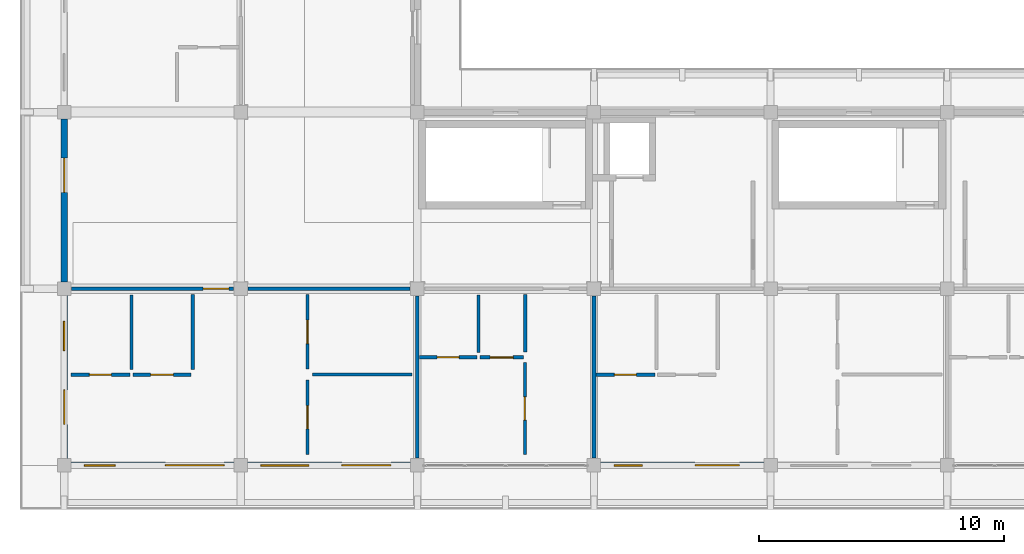
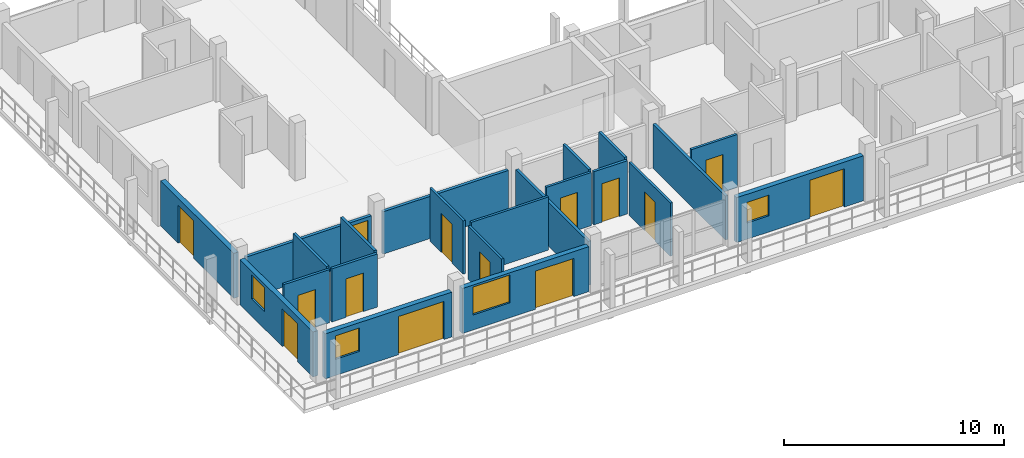
# One storey, part 34 of 65: 22 walls, 14 doors, 4 windows, 18 openings.
"""IFC4 building model written with IfcOpenShell, lengths in metres."""

from ifc_helpers import new_model, si_unit, direction, frame, frame_2d, origin, place, context, subcontext, project, spatial, rectangle, extrude, material, layer, layer_set, type_object, element, fill, save


model = new_model("IFC4")

# Units and contexts
model_context = context("Model", 3, precision=1e-05, world=origin(), true_north=direction((0.0, 1.0)))
body_context = subcontext(model_context, "Body", "Model", "MODEL_VIEW")
ifc_project = project(units=[si_unit("LENGTHUNIT", "METRE"), si_unit("AREAUNIT", "SQUARE_METRE"), si_unit("VOLUMEUNIT", "CUBIC_METRE"), si_unit("PLANEANGLEUNIT", "RADIAN"), si_unit("MASSUNIT", "GRAM", prefix="KILO")], contexts=[model_context])

# Site, building, storey
site_placement = place(None, origin())
site = spatial("IfcSite", under=ifc_project, at=site_placement, CompositionType="ELEMENT")
building_placement = place(site_placement, origin())
building = spatial("IfcBuilding", under=site, at=building_placement, Name="Suanplinth Sawtooth Commons", CompositionType="ELEMENT")
storey_placement = place(building_placement, frame((0.0, 0.0, 28.300048828125)))
storey = spatial("IfcBuildingStorey", under=building, at=storey_placement, Name="L08", CompositionType="ELEMENT", Elevation=28.300048828125)

# Wall, openings, door, window
ifc_material_1 = material(Name="Precast concrete C40/50", Category="concrete")
ifc_layer_1 = layer(ifc_material_1, 0.260009765625, Name="Insulated precast courtyard facade wall 260mm")
ifc_layer_set_1 = layer_set([ifc_layer_1], Name="Precast concrete C40/50")
wall_type_1 = type_object("IfcWallType", Name="W-EX02", PredefinedType="ELEMENTEDWALL", material=ifc_layer_set_1)
wall_1_placement = place(storey_placement, frame((0.27490234375, 0.0, 0.0), z_axis=(0.0, 0.0, 1.0), x_axis=(1.0, 0.0, 0.0)))
wall_1 = element("IfcWall", 1, at=wall_1_placement, inside=storey, type_object=wall_type_1, Name="Facade Wall W-L08-D-S-0-0", PredefinedType="ELEMENTEDWALL", context=body_context, shape_type="SweptSolid", body=[
    extrude(rectangle(XDim=6.650146484375, YDim=0.260009765625, at=frame_2d((3.3251953125, 0.0))), origin(), (0.0, 0.0, 1.0), 2.494873046875),
])
opening_1_placement = place(wall_1_placement, frame((3.85009765625, 0.0, 0.0)))
opening_1 = element("IfcOpeningElement", 2, at=opening_1_placement, cuts=wall_1, Name="Opening ED0674", PredefinedType="OPENING", context=body_context, shape_type="SweptSolid", body=[
    extrude(rectangle(XDim=2.39990234375, YDim=2.1201171875, at=frame_2d((1.199951171875, 1.06005859375))), frame((0.0, 0.14501953125, 0.0), z_axis=(0.0, -1.0, 0.0), x_axis=(1.0, 0.0, 0.0)), (0.0, 0.0, 1.0), 0.289794921875),
])
opening_2_placement = place(wall_1_placement, frame((0.550048828125, 0.0, 0.89990234375)))
opening_2 = element("IfcOpeningElement", 3, at=opening_2_placement, cuts=wall_1, Name="Opening W0756", PredefinedType="OPENING", context=body_context, shape_type="SweptSolid", body=[
    extrude(rectangle(XDim=1.25, YDim=1.300048828125, at=frame_2d((0.625, 0.64990234375))), frame((0.0, 0.14501953125, 0.0), z_axis=(0.0, -1.0, 0.0), x_axis=(1.0, 0.0, 0.0)), (0.0, 0.0, 1.0), 0.289794921875),
])
ifc_material_2 = material(Name="Anodized aluminium and low-E glass", Category="aluminium")
door_type_1 = type_object("IfcDoorType", Name="SD-04", OperationType="DOUBLE_DOOR_SLIDING", PredefinedType="DOOR", material=ifc_material_2)
door_1_placement = place(opening_1_placement, frame((2.39990234375, 0.0, 0.0), z_axis=(0.0, 0.0, 1.0), x_axis=(-1.0, 0.0, 0.0)))
door_1 = element("IfcDoor", 4, at=door_1_placement, inside=storey, type_object=door_type_1, Name="Balcony Sliding Door L08-D-0", OperationType="DOUBLE_DOOR_SLIDING", OverallHeight=2.1201171875, OverallWidth=2.39990234375, PredefinedType="DOOR", context=body_context, shape_type="SweptSolid", body=[
    extrude(rectangle(XDim=2.39990234375, YDim=2.1201171875, at=frame_2d((1.199951171875, 1.06005859375))), frame((0.0, 0.02490234375, 0.0), z_axis=(0.0, -1.0, 0.0), x_axis=(1.0, 0.0, 0.0)), (0.0, 0.0, 1.0), 0.050048828125),
])
fill(opening_1, door_1)
ifc_material_3 = material(Name="Thermally broken aluminium and low-E double glazing", Category="aluminium")
window_type_1 = type_object("IfcWindowType", Name="WN-17", PartitioningType="SINGLE_PANEL", PredefinedType="WINDOW", material=ifc_material_3)
window_1_placement = place(opening_2_placement, origin())
window_1 = element("IfcWindow", 5, at=window_1_placement, inside=storey, type_object=window_type_1, Name="Apartment Window L08-D-0", OverallHeight=1.300048828125, OverallWidth=1.25, PartitioningType="SINGLE_PANEL", PredefinedType="WINDOW", context=body_context, shape_type="SweptSolid", body=[
    extrude(rectangle(XDim=1.25, YDim=1.300048828125, at=frame_2d((0.625, 0.64990234375))), frame((0.0, 0.030029296875, 0.0), z_axis=(0.0, -1.0, 0.0), x_axis=(1.0, 0.0, 0.0)), (0.0, 0.0, 1.0), 0.06005859375),
])
fill(opening_2, window_1)

wall_2_placement = place(storey_placement, frame((0.0, 0.27490234375, 0.0), z_axis=(0.0, 0.0, 1.0), x_axis=(0.0, 1.0, 0.0)))
wall_2 = element("IfcWall", 6, at=wall_2_placement, inside=storey, type_object=wall_type_1, Name="Facade Wall W-L08-D-W-0-0", PredefinedType="ELEMENTEDWALL", context=body_context, shape_type="SweptSolid", body=[
    extrude(rectangle(XDim=6.650146484375, YDim=0.260009765625, at=frame_2d((3.3251953125, 0.0))), origin(), (0.0, 0.0, 1.0), 2.494873046875),
])
opening_3_placement = place(wall_2_placement, frame((1.39990234375, 0.0, 0.0)))
opening_3 = element("IfcOpeningElement", 7, at=opening_3_placement, cuts=wall_2, Name="Opening ED0675", PredefinedType="OPENING", context=body_context, shape_type="SweptSolid", body=[
    extrude(rectangle(XDim=1.39990234375, YDim=2.10009765625, at=frame_2d((0.699951171875, 1.050048828125))), frame((0.0, 0.14501953125, 0.0), z_axis=(0.0, -1.0, 0.0), x_axis=(1.0, 0.0, 0.0)), (0.0, 0.0, 1.0), 0.289794921875),
])
opening_4_placement = place(wall_2_placement, frame((4.39990234375, 0.0, 0.949951171875)))
opening_4 = element("IfcOpeningElement", 8, at=opening_4_placement, cuts=wall_2, Name="Opening W0757", PredefinedType="OPENING", context=body_context, shape_type="SweptSolid", body=[
    extrude(rectangle(XDim=1.199951171875, YDim=1.35009765625, at=frame_2d((0.60009765625, 0.675048828125))), frame((0.0, 0.14501953125, 0.0), z_axis=(0.0, -1.0, 0.0), x_axis=(1.0, 0.0, 0.0)), (0.0, 0.0, 1.0), 0.289794921875),
])
door_type_2 = type_object("IfcDoorType", Name="SD-07", OperationType="SLIDING_TO_RIGHT", PredefinedType="DOOR", material=ifc_material_2)
door_2_placement = place(opening_3_placement, frame((1.39990234375, 0.0, 0.0), z_axis=(0.0, 0.0, 1.0), x_axis=(-1.0, 0.0, 0.0)))
door_2 = element("IfcDoor", 9, at=door_2_placement, inside=storey, type_object=door_type_2, Name="End Balcony Sliding Door L08-D-W-0-0", OperationType="SLIDING_TO_RIGHT", OverallHeight=2.10009765625, OverallWidth=1.39990234375, PredefinedType="DOOR", context=body_context, shape_type="SweptSolid", body=[
    extrude(rectangle(XDim=1.39990234375, YDim=2.10009765625, at=frame_2d((0.699951171875, 1.050048828125))), frame((0.0, 0.02490234375, 0.0), z_axis=(0.0, -1.0, 0.0), x_axis=(1.0, 0.0, 0.0)), (0.0, 0.0, 1.0), 0.050048828125),
])
fill(opening_3, door_2)
window_type_2 = type_object("IfcWindowType", Name="WN-03", PartitioningType="SINGLE_PANEL", PredefinedType="WINDOW", material=ifc_material_3)
window_2_placement = place(opening_4_placement, origin())
window_2 = element("IfcWindow", 10, at=window_2_placement, inside=storey, type_object=window_type_2, Name="End Bedroom Window L08-D-0-0", OverallHeight=1.35009765625, OverallWidth=1.199951171875, PartitioningType="SINGLE_PANEL", PredefinedType="WINDOW", context=body_context, shape_type="SweptSolid", body=[
    extrude(rectangle(XDim=1.199951171875, YDim=1.35009765625, at=frame_2d((0.60009765625, 0.675048828125))), frame((0.0, 0.030029296875, 0.0), z_axis=(0.0, -1.0, 0.0), x_axis=(1.0, 0.0, 0.0)), (0.0, 0.0, 1.0), 0.06005859375),
])
fill(opening_4, window_2)

# Wall, opening, door
wall_3_placement = place(storey_placement, frame((0.0, 7.47509765625, 0.0), z_axis=(0.0, 0.0, 1.0), x_axis=(0.0, 1.0, 0.0)))
wall_3 = element("IfcWall", 11, at=wall_3_placement, inside=storey, type_object=wall_type_1, Name="Facade Wall W-L08-D-W-0-1", PredefinedType="ELEMENTEDWALL", context=body_context, shape_type="SweptSolid", body=[
    extrude(rectangle(XDim=6.64990234375, YDim=0.260009765625, at=frame_2d((3.324951171875, 0.0))), origin(), (0.0, 0.0, 1.0), 2.494873046875),
])
opening_5_placement = place(wall_3_placement, frame((3.64990234375, 0.0, 0.0)))
opening_5 = element("IfcOpeningElement", 12, at=opening_5_placement, cuts=wall_3, Name="Opening ED0676", PredefinedType="OPENING", context=body_context, shape_type="SweptSolid", body=[
    extrude(rectangle(XDim=1.39990234375, YDim=2.10009765625, at=frame_2d((0.699951171875, 1.050048828125))), frame((0.0, 0.14501953125, 0.0), z_axis=(0.0, -1.0, 0.0), x_axis=(1.0, 0.0, 0.0)), (0.0, 0.0, 1.0), 0.289794921875),
])
door_3_placement = place(opening_5_placement, frame((1.39990234375, 0.0, 0.0), z_axis=(0.0, 0.0, 1.0), x_axis=(-1.0, 0.0, 0.0)))
door_3 = element("IfcDoor", 13, at=door_3_placement, inside=storey, type_object=door_type_2, Name="End Balcony Sliding Door L08-D-W-0-1", OperationType="SLIDING_TO_RIGHT", OverallHeight=2.10009765625, OverallWidth=1.39990234375, PredefinedType="DOOR", context=body_context, shape_type="SweptSolid", body=[
    extrude(rectangle(XDim=1.39990234375, YDim=2.10009765625, at=frame_2d((0.699951171875, 1.050048828125))), frame((0.0, 0.02490234375, 0.0), z_axis=(0.0, -1.0, 0.0), x_axis=(1.0, 0.0, 0.0)), (0.0, 0.0, 1.0), 0.050048828125),
])
fill(opening_5, door_3)

# Wall, openings, door, window
wall_4_placement = place(storey_placement, frame((7.47509765625, 0.0, 0.0), z_axis=(0.0, 0.0, 1.0), x_axis=(1.0, 0.0, 0.0)))
wall_4 = element("IfcWall", 14, at=wall_4_placement, inside=storey, type_object=wall_type_1, Name="Facade Wall W-L08-D-S-1-0", PredefinedType="ELEMENTEDWALL", context=body_context, shape_type="SweptSolid", body=[
    extrude(rectangle(XDim=6.64990234375, YDim=0.260009765625, at=frame_2d((3.324951171875, 0.0))), origin(), (0.0, 0.0, 1.0), 2.494873046875),
])
opening_6_placement = place(wall_4_placement, frame((3.85009765625, 0.0, 0.0)))
opening_6 = element("IfcOpeningElement", 15, at=opening_6_placement, cuts=wall_4, Name="Opening ED0680", PredefinedType="OPENING", context=body_context, shape_type="SweptSolid", body=[
    extrude(rectangle(XDim=2.0, YDim=2.1201171875, at=frame_2d((1.0, 1.06005859375))), frame((0.0, 0.14501953125, 0.0), z_axis=(0.0, -1.0, 0.0), x_axis=(1.0, 0.0, 0.0)), (0.0, 0.0, 1.0), 0.289794921875),
])
opening_7_placement = place(wall_4_placement, frame((0.550048828125, 0.0, 0.830078125)))
opening_7 = element("IfcOpeningElement", 16, at=opening_7_placement, cuts=wall_4, Name="Opening W0760", PredefinedType="OPENING", context=body_context, shape_type="SweptSolid", body=[
    extrude(rectangle(XDim=1.949951171875, YDim=1.550048828125, at=frame_2d((0.97509765625, 0.77490234375))), frame((0.0, 0.14501953125, 0.0), z_axis=(0.0, -1.0, 0.0), x_axis=(1.0, 0.0, 0.0)), (0.0, 0.0, 1.0), 0.289794921875),
])
door_type_3 = type_object("IfcDoorType", Name="SD-06", OperationType="DOUBLE_DOOR_SLIDING", PredefinedType="DOOR", material=ifc_material_2)
door_4_placement = place(opening_6_placement, frame((2.0, 0.0, 0.0), z_axis=(0.0, 0.0, 1.0), x_axis=(-1.0, 0.0, 0.0)))
door_4 = element("IfcDoor", 17, at=door_4_placement, inside=storey, type_object=door_type_3, Name="Balcony Sliding Door L08-D-1", OperationType="DOUBLE_DOOR_SLIDING", OverallHeight=2.1201171875, OverallWidth=2.0, PredefinedType="DOOR", context=body_context, shape_type="SweptSolid", body=[
    extrude(rectangle(XDim=2.0, YDim=2.1201171875, at=frame_2d((1.0, 1.06005859375))), frame((0.0, 0.02490234375, 0.0), z_axis=(0.0, -1.0, 0.0), x_axis=(1.0, 0.0, 0.0)), (0.0, 0.0, 1.0), 0.050048828125),
])
fill(opening_6, door_4)
window_type_3 = type_object("IfcWindowType", Name="WN-18", PartitioningType="DOUBLE_PANEL_VERTICAL", PredefinedType="WINDOW", material=ifc_material_3)
window_3_placement = place(opening_7_placement, origin())
window_3 = element("IfcWindow", 18, at=window_3_placement, inside=storey, type_object=window_type_3, Name="Apartment Window L08-D-1", OverallHeight=1.550048828125, OverallWidth=1.949951171875, PartitioningType="DOUBLE_PANEL_VERTICAL", PredefinedType="WINDOW", context=body_context, shape_type="SweptSolid", body=[
    extrude(rectangle(XDim=1.949951171875, YDim=1.550048828125, at=frame_2d((0.97509765625, 0.77490234375))), frame((0.0, 0.030029296875, 0.0), z_axis=(0.0, -1.0, 0.0), x_axis=(1.0, 0.0, 0.0)), (0.0, 0.0, 1.0), 0.06005859375),
])
fill(opening_7, window_3)

wall_5_placement = place(storey_placement, frame((21.875, 0.0, 0.0), z_axis=(0.0, 0.0, 1.0), x_axis=(1.0, 0.0, 0.0)))
wall_5 = element("IfcWall", 19, at=wall_5_placement, inside=storey, type_object=wall_type_1, Name="Facade Wall W-L08-D-S-3-0", PredefinedType="ELEMENTEDWALL", context=body_context, shape_type="SweptSolid", body=[
    extrude(rectangle(XDim=6.64990234375, YDim=0.260009765625, at=frame_2d((3.324951171875, 0.0))), origin(), (0.0, 0.0, 1.0), 2.494873046875),
])
opening_8_placement = place(wall_5_placement, frame((3.85009765625, 0.0, 0.0)))
opening_8 = element("IfcOpeningElement", 20, at=opening_8_placement, cuts=wall_5, Name="Opening ED0683", PredefinedType="OPENING", context=body_context, shape_type="SweptSolid", body=[
    extrude(rectangle(XDim=1.800048828125, YDim=2.1201171875, at=frame_2d((0.89990234375, 1.06005859375))), frame((0.0, 0.14501953125, 0.0), z_axis=(0.0, -1.0, 0.0), x_axis=(1.0, 0.0, 0.0)), (0.0, 0.0, 1.0), 0.289794921875),
])
opening_9_placement = place(wall_5_placement, frame((0.550048828125, 0.0, 0.89990234375)))
opening_9 = element("IfcOpeningElement", 21, at=opening_9_placement, cuts=wall_5, Name="Opening W0763", PredefinedType="OPENING", context=body_context, shape_type="SweptSolid", body=[
    extrude(rectangle(XDim=1.14990234375, YDim=1.14990234375, at=frame_2d((0.574951171875, 0.574951171875))), frame((0.0, 0.14501953125, 0.0), z_axis=(0.0, -1.0, 0.0), x_axis=(1.0, 0.0, 0.0)), (0.0, 0.0, 1.0), 0.289794921875),
])
door_type_4 = type_object("IfcDoorType", Name="SD-01", OperationType="SLIDING_TO_LEFT", PredefinedType="DOOR", material=ifc_material_2)
door_5_placement = place(opening_8_placement, frame((1.800048828125, 0.0, 0.0), z_axis=(0.0, 0.0, 1.0), x_axis=(-1.0, 0.0, 0.0)))
door_5 = element("IfcDoor", 22, at=door_5_placement, inside=storey, type_object=door_type_4, Name="Balcony Sliding Door L08-D-3", OperationType="SLIDING_TO_LEFT", OverallHeight=2.1201171875, OverallWidth=1.800048828125, PredefinedType="DOOR", context=body_context, shape_type="SweptSolid", body=[
    extrude(rectangle(XDim=1.800048828125, YDim=2.1201171875, at=frame_2d((0.89990234375, 1.06005859375))), frame((0.0, 0.02490234375, 0.0), z_axis=(0.0, -1.0, 0.0), x_axis=(1.0, 0.0, 0.0)), (0.0, 0.0, 1.0), 0.050048828125),
])
fill(opening_8, door_5)
window_type_4 = type_object("IfcWindowType", Name="WN-20", PartitioningType="SINGLE_PANEL", PredefinedType="WINDOW", material=ifc_material_3)
window_4_placement = place(opening_9_placement, origin())
window_4 = element("IfcWindow", 23, at=window_4_placement, inside=storey, type_object=window_type_4, Name="Apartment Window L08-D-3", OverallHeight=1.14990234375, OverallWidth=1.14990234375, PartitioningType="SINGLE_PANEL", PredefinedType="WINDOW", context=body_context, shape_type="SweptSolid", body=[
    extrude(rectangle(XDim=1.14990234375, YDim=1.14990234375, at=frame_2d((0.574951171875, 0.574951171875))), frame((0.0, 0.030029296875, 0.0), z_axis=(0.0, -1.0, 0.0), x_axis=(1.0, 0.0, 0.0)), (0.0, 0.0, 1.0), 0.06005859375),
])
fill(opening_9, window_4)

# Wall, opening, door
ifc_layer_2 = layer(ifc_material_1, 0.159912109375, Name="Fire-rated corridor and lobby wall 160mm")
ifc_layer_set_2 = layer_set([ifc_layer_2], Name="Precast concrete C40/50")
wall_type_2 = type_object("IfcWallType", Name="W-FW01", PredefinedType="PARTITIONING", material=ifc_layer_set_2)
wall_6_placement = place(storey_placement, frame((0.304931640625, 7.199951171875, 0.0), z_axis=(0.0, 0.0, 1.0), x_axis=(1.0, 0.0, 0.0)))
wall_6 = element("IfcWall", 24, at=wall_6_placement, inside=storey, type_object=wall_type_2, Name="W-D-L08-U01-COR-S1", PredefinedType="PARTITIONING", context=body_context, shape_type="SweptSolid", body=[
    extrude(rectangle(XDim=6.590087890625, YDim=0.159912109375, at=frame_2d((3.294921875, 0.0))), origin(), (0.0, 0.0, 1.0), 2.344970703125),
])
opening_10_placement = place(wall_6_placement, frame((5.360107421875, 0.0, 0.0)))
opening_10 = element("IfcOpeningElement", 25, at=opening_10_placement, cuts=wall_6, Name="Opening FD1729", PredefinedType="OPENING", context=body_context, shape_type="SweptSolid", body=[
    extrude(rectangle(XDim=1.050048828125, YDim=2.14990234375, at=frame_2d((0.52490234375, 1.074951171875))), frame((0.0, 0.0947265625, 0.0), z_axis=(0.0, -1.0, 0.0), x_axis=(1.0, 0.0, 0.0)), (0.0, 0.0, 1.0), 0.189697265625),
])
ifc_material_4 = material(Name="Teak hardwood fire-rated door assembly", Category="wood")
door_type_5 = type_object("IfcDoorType", Name="FD-04", OperationType="NOTDEFINED", PredefinedType="DOOR", material=ifc_material_4)
door_6_placement = place(opening_10_placement, frame((1.050048828125, 0.0, 0.0), z_axis=(0.0, 0.0, 1.0), x_axis=(-1.0, 0.0, 0.0)))
door_6 = element("IfcDoor", 26, at=door_6_placement, inside=storey, type_object=door_type_5, Name="Unit Entrance Door FD1729", OperationType="SINGLE_SWING_LEFT", OverallHeight=2.14990234375, OverallWidth=1.050048828125, PredefinedType="DOOR", context=body_context, shape_type="SweptSolid", body=[
    extrude(rectangle(XDim=1.050048828125, YDim=2.14990234375, at=frame_2d((0.52490234375, 1.074951171875))), frame((0.0, 0.02490234375, 0.0), z_axis=(0.0, -1.0, 0.0), x_axis=(1.0, 0.0, 0.0)), (0.0, 0.0, 1.0), 0.050048828125),
])
fill(opening_10, door_6)

# Walls
wall_7_placement = place(storey_placement, frame((7.5048828125, 7.199951171875, 0.0), z_axis=(0.0, 0.0, 1.0), x_axis=(1.0, 0.0, 0.0)))
element("IfcWall", 27, at=wall_7_placement, inside=storey, type_object=wall_type_2, Name="W-D-L08-U01-COR-S2", PredefinedType="PARTITIONING", context=body_context, shape_type="SweptSolid", body=[
    extrude(rectangle(XDim=6.590087890625, YDim=0.159912109375, at=frame_2d((3.294921875, 0.0))), origin(), (0.0, 0.0, 1.0), 2.344970703125),
])
ifc_layer_3 = layer(ifc_material_1, 0.14990234375, Name="Acoustic precast party demising wall 150mm")
ifc_layer_set_3 = layer_set([ifc_layer_3], Name="Precast concrete C40/50")
wall_type_3 = type_object("IfcWallType", Name="W-FW02", PredefinedType="PARTITIONING", material=ifc_layer_set_3)
for number, where, z_axis, x_axis, name in (
    (28, (14.39990234375, 0.304931640625, 0.0), (0.0, 0.0, 1.0), (0.0, 1.0, 0.0), "W-D-L08-U01-PTY"),
    (29, (21.60009765625, 0.304931640625, 0.0), (0.0, 0.0, 1.0), (0.0, 1.0, 0.0), "W-D-L08-U02-PTY"),
):
    element("IfcWall", number, at=place(storey_placement, frame(where, z_axis=z_axis, x_axis=x_axis)), inside=storey, type_object=wall_type_3, Name=name, PredefinedType="PARTITIONING", context=body_context, shape_type="SweptSolid", body=[
        extrude(rectangle(XDim=6.590087890625, YDim=0.14990234375, at=frame_2d((3.294921875, 0.0))), origin(), (0.0, 0.0, 1.0), 2.445068359375),
    ])

# Wall, opening, door
ifc_material_5 = material(Name="Gypsum plasterboard on steel stud", Category="steel")
ifc_layer_4 = layer(ifc_material_5, 0.139892578125, Name="Fire-rated kitchen partition 140mm")
ifc_layer_set_4 = layer_set([ifc_layer_4], Name="Gypsum plasterboard on steel stud")
wall_type_4 = type_object("IfcWallType", Name="W-PT01", PredefinedType="PARTITIONING", material=ifc_layer_set_4)
wall_8_placement = place(storey_placement, frame((2.800048828125, 3.68994140625, 0.0), z_axis=(0.0, 0.0, 1.0), x_axis=(1.0, 0.0, 0.0)))
wall_8 = element("IfcWall", 30, at=wall_8_placement, inside=storey, type_object=wall_type_4, Name="W-D-L08-U01-KIT1", PredefinedType="PARTITIONING", context=body_context, shape_type="SweptSolid", body=[
    extrude(rectangle(XDim=2.3798828125, YDim=0.139892578125, at=frame_2d((1.18994140625, 0.0))), origin(), (0.0, 0.0, 1.0), 2.949951171875),
])
opening_11_placement = place(wall_8_placement, frame((0.72509765625, 0.0, 0.0)))
opening_11 = element("IfcOpeningElement", 31, at=opening_11_placement, cuts=wall_8, Name="Opening D1731", PredefinedType="OPENING", context=body_context, shape_type="SweptSolid", body=[
    extrude(rectangle(XDim=0.929931640625, YDim=2.139892578125, at=frame_2d((0.46484375, 1.06982421875))), frame((0.0, 0.0849609375, 0.0), z_axis=(0.0, -1.0, 0.0), x_axis=(1.0, 0.0, 0.0)), (0.0, 0.0, 1.0), 0.169677734375),
])
ifc_material_6 = material(Name="Teak hardwood", Category="wood")
door_type_6 = type_object("IfcDoorType", Name="D-19", OperationType="NOTDEFINED", PredefinedType="DOOR", material=ifc_material_6)
door_7_placement = place(opening_11_placement, origin())
door_7 = element("IfcDoor", 32, at=door_7_placement, inside=storey, type_object=door_type_6, Name="Kitchen Door D1731", OperationType="SINGLE_SWING_LEFT", OverallHeight=2.139892578125, OverallWidth=0.929931640625, PredefinedType="DOOR", context=body_context, shape_type="SweptSolid", body=[
    extrude(rectangle(XDim=0.929931640625, YDim=2.139892578125, at=frame_2d((0.46484375, 1.06982421875))), frame((0.0, 0.02490234375, 0.0), z_axis=(0.0, -1.0, 0.0), x_axis=(1.0, 0.0, 0.0)), (0.0, 0.0, 1.0), 0.050048828125),
])
fill(opening_11, door_7)

# Wall
wall_9_placement = place(storey_placement, frame((5.25, 3.909912109375, 0.0), z_axis=(0.0, 0.0, 1.0), x_axis=(0.0, 1.0, 0.0)))
element("IfcWall", 33, at=wall_9_placement, inside=storey, type_object=wall_type_4, Name="W-D-L08-U01-KIT2", PredefinedType="PARTITIONING", context=body_context, shape_type="SweptSolid", body=[
    extrude(rectangle(XDim=3.06005859375, YDim=0.139892578125, at=frame_2d((1.530029296875, 0.0))), origin(), (0.0, 0.0, 1.0), 2.949951171875),
])

# Wall, opening, door
wall_10_placement = place(storey_placement, frame((16.949951171875, 4.39990234375, 0.0), z_axis=(0.0, 0.0, 1.0), x_axis=(1.0, 0.0, 0.0)))
wall_10 = element("IfcWall", 34, at=wall_10_placement, inside=storey, type_object=wall_type_4, Name="W-D-L08-U02-KIT1", PredefinedType="PARTITIONING", context=body_context, shape_type="SweptSolid", body=[
    extrude(rectangle(XDim=1.77001953125, YDim=0.139892578125, at=frame_2d((0.885009765625, 0.0))), origin(), (0.0, 0.0, 1.0), 2.949951171875),
])
opening_12_placement = place(wall_10_placement, frame((0.419921875, 0.0, 0.0)))
opening_12 = element("IfcOpeningElement", 35, at=opening_12_placement, cuts=wall_10, Name="Opening D1736", PredefinedType="OPENING", context=body_context, shape_type="SweptSolid", body=[
    extrude(rectangle(XDim=0.929931640625, YDim=2.139892578125, at=frame_2d((0.46484375, 1.06982421875))), frame((0.0, 0.0849609375, 0.0), z_axis=(0.0, -1.0, 0.0), x_axis=(1.0, 0.0, 0.0)), (0.0, 0.0, 1.0), 0.169677734375),
])
door_8_placement = place(opening_12_placement, origin())
door_8 = element("IfcDoor", 36, at=door_8_placement, inside=storey, type_object=door_type_6, Name="Kitchen Door D1736", OperationType="SINGLE_SWING_RIGHT", OverallHeight=2.139892578125, OverallWidth=0.929931640625, PredefinedType="DOOR", context=body_context, shape_type="SweptSolid", body=[
    extrude(rectangle(XDim=0.929931640625, YDim=2.139892578125, at=frame_2d((0.46484375, 1.06982421875))), frame((0.0, 0.02490234375, 0.0), z_axis=(0.0, -1.0, 0.0), x_axis=(1.0, 0.0, 0.0)), (0.0, 0.0, 1.0), 0.050048828125),
])
fill(opening_12, door_8)

# Wall
wall_11_placement = place(storey_placement, frame((18.7900390625, 4.6201171875, 0.0), z_axis=(0.0, 0.0, 1.0), x_axis=(0.0, 1.0, 0.0)))
element("IfcWall", 37, at=wall_11_placement, inside=storey, type_object=wall_type_4, Name="W-D-L08-U02-KIT2", PredefinedType="PARTITIONING", context=body_context, shape_type="SweptSolid", body=[
    extrude(rectangle(XDim=2.349853515625, YDim=0.139892578125, at=frame_2d((1.1748046875, 0.0))), origin(), (0.0, 0.0, 1.0), 2.949951171875),
])

# Wall, opening, door
ifc_layer_5 = layer(ifc_material_5, 0.1298828125, Name="Moisture-resistant bathroom partition 130mm")
ifc_layer_set_5 = layer_set([ifc_layer_5], Name="Gypsum plasterboard on steel stud")
wall_type_5 = type_object("IfcWallType", Name="W-PT02", PredefinedType="PARTITIONING", material=ifc_layer_set_5)
wall_12_placement = place(storey_placement, frame((0.280029296875, 3.695068359375, 0.0), z_axis=(0.0, 0.0, 1.0), x_axis=(1.0, 0.0, 0.0)))
wall_12 = element("IfcWall", 38, at=wall_12_placement, inside=storey, type_object=wall_type_5, Name="W-D-L08-U01-BTH1", PredefinedType="PARTITIONING", context=body_context, shape_type="SweptSolid", body=[
    extrude(rectangle(XDim=2.39990234375, YDim=0.1298828125, at=frame_2d((1.199951171875, 0.0))), origin(), (0.0, 0.0, 1.0), 2.949951171875),
])
opening_13_placement = place(wall_12_placement, frame((0.75, 0.0, 0.0)))
opening_13 = element("IfcOpeningElement", 39, at=opening_13_placement, cuts=wall_12, Name="Opening D1730", PredefinedType="OPENING", context=body_context, shape_type="SweptSolid", body=[
    extrude(rectangle(XDim=0.89990234375, YDim=2.10009765625, at=frame_2d((0.449951171875, 1.050048828125))), frame((0.0, 0.079833984375, 0.0), z_axis=(0.0, -1.0, 0.0), x_axis=(1.0, 0.0, 0.0)), (0.0, 0.0, 1.0), 0.15966796875),
])
door_type_7 = type_object("IfcDoorType", Name="D-01", OperationType="NOTDEFINED", PredefinedType="DOOR", material=ifc_material_6)
door_9_placement = place(opening_13_placement, origin())
door_9 = element("IfcDoor", 40, at=door_9_placement, inside=storey, type_object=door_type_7, Name="Bathroom Door D1730", OperationType="SINGLE_SWING_RIGHT", OverallHeight=2.10009765625, OverallWidth=0.89990234375, PredefinedType="DOOR", context=body_context, shape_type="SweptSolid", body=[
    extrude(rectangle(XDim=0.89990234375, YDim=2.10009765625, at=frame_2d((0.449951171875, 1.050048828125))), frame((0.0, 0.02490234375, 0.0), z_axis=(0.0, -1.0, 0.0), x_axis=(1.0, 0.0, 0.0)), (0.0, 0.0, 1.0), 0.050048828125),
])
fill(opening_13, door_9)

# Wall
wall_13_placement = place(storey_placement, frame((2.7451171875, 3.89990234375, 0.0), z_axis=(0.0, 0.0, 1.0), x_axis=(0.0, 1.0, 0.0)))
element("IfcWall", 41, at=wall_13_placement, inside=storey, type_object=wall_type_5, Name="W-D-L08-U01-BTH2", PredefinedType="PARTITIONING", context=body_context, shape_type="SweptSolid", body=[
    extrude(rectangle(XDim=3.0400390625, YDim=0.1298828125, at=frame_2d((1.52001953125, 0.0))), origin(), (0.0, 0.0, 1.0), 2.949951171875),
])

# Wall, opening, door
wall_14_placement = place(storey_placement, frame((14.47998046875, 4.405029296875, 0.0), z_axis=(0.0, 0.0, 1.0), x_axis=(1.0, 0.0, 0.0)))
wall_14 = element("IfcWall", 42, at=wall_14_placement, inside=storey, type_object=wall_type_5, Name="W-D-L08-U02-BTH1", PredefinedType="PARTITIONING", context=body_context, shape_type="SweptSolid", body=[
    extrude(rectangle(XDim=2.35009765625, YDim=0.1298828125, at=frame_2d((1.175048828125, 0.0))), origin(), (0.0, 0.0, 1.0), 2.949951171875),
])
opening_14_placement = place(wall_14_placement, frame((0.72509765625, 0.0, 0.0)))
opening_14 = element("IfcOpeningElement", 43, at=opening_14_placement, cuts=wall_14, Name="Opening D1735", PredefinedType="OPENING", context=body_context, shape_type="SweptSolid", body=[
    extrude(rectangle(XDim=0.89990234375, YDim=2.10009765625, at=frame_2d((0.449951171875, 1.050048828125))), frame((0.0, 0.079833984375, 0.0), z_axis=(0.0, -1.0, 0.0), x_axis=(1.0, 0.0, 0.0)), (0.0, 0.0, 1.0), 0.15966796875),
])
door_10_placement = place(opening_14_placement, origin())
door_10 = element("IfcDoor", 44, at=door_10_placement, inside=storey, type_object=door_type_7, Name="Bathroom Door D1735", OperationType="SINGLE_SWING_LEFT", OverallHeight=2.10009765625, OverallWidth=0.89990234375, PredefinedType="DOOR", context=body_context, shape_type="SweptSolid", body=[
    extrude(rectangle(XDim=0.89990234375, YDim=2.10009765625, at=frame_2d((0.449951171875, 1.050048828125))), frame((0.0, 0.02490234375, 0.0), z_axis=(0.0, -1.0, 0.0), x_axis=(1.0, 0.0, 0.0)), (0.0, 0.0, 1.0), 0.050048828125),
])
fill(opening_14, door_10)

# Wall
wall_15_placement = place(storey_placement, frame((16.89501953125, 4.610107421875, 0.0), z_axis=(0.0, 0.0, 1.0), x_axis=(0.0, 1.0, 0.0)))
element("IfcWall", 45, at=wall_15_placement, inside=storey, type_object=wall_type_5, Name="W-D-L08-U02-BTH2", PredefinedType="PARTITIONING", context=body_context, shape_type="SweptSolid", body=[
    extrude(rectangle(XDim=2.329833984375, YDim=0.1298828125, at=frame_2d((1.1650390625, 0.0))), origin(), (0.0, 0.0, 1.0), 2.949951171875),
])

# Wall, opening, door
wall_16_placement = place(storey_placement, frame((21.679931640625, 3.695068359375, 0.0), z_axis=(0.0, 0.0, 1.0), x_axis=(1.0, 0.0, 0.0)))
wall_16 = element("IfcWall", 46, at=wall_16_placement, inside=storey, type_object=wall_type_5, Name="W-D-L08-U03-BTH1", PredefinedType="PARTITIONING", context=body_context, shape_type="SweptSolid", body=[
    extrude(rectangle(XDim=2.400146484375, YDim=0.1298828125, at=frame_2d((1.2001953125, 0.0))), origin(), (0.0, 0.0, 1.0), 2.949951171875),
])
opening_15_placement = place(wall_16_placement, frame((0.75, 0.0, 0.0)))
opening_15 = element("IfcOpeningElement", 47, at=opening_15_placement, cuts=wall_16, Name="Opening D1739", PredefinedType="OPENING", context=body_context, shape_type="SweptSolid", body=[
    extrude(rectangle(XDim=0.89990234375, YDim=2.10009765625, at=frame_2d((0.449951171875, 1.050048828125))), frame((0.0, 0.079833984375, 0.0), z_axis=(0.0, -1.0, 0.0), x_axis=(1.0, 0.0, 0.0)), (0.0, 0.0, 1.0), 0.15966796875),
])
door_11_placement = place(opening_15_placement, origin())
door_11 = element("IfcDoor", 48, at=door_11_placement, inside=storey, type_object=door_type_7, Name="Bathroom Door D1739", OperationType="SINGLE_SWING_LEFT", OverallHeight=2.10009765625, OverallWidth=0.89990234375, PredefinedType="DOOR", context=body_context, shape_type="SweptSolid", body=[
    extrude(rectangle(XDim=0.89990234375, YDim=2.10009765625, at=frame_2d((0.449951171875, 1.050048828125))), frame((0.0, 0.02490234375, 0.0), z_axis=(0.0, -1.0, 0.0), x_axis=(1.0, 0.0, 0.0)), (0.0, 0.0, 1.0), 0.050048828125),
])
fill(opening_15, door_11)

ifc_layer_6 = layer(ifc_material_5, 0.1201171875, Name="Acoustic bedroom partition 120mm")
ifc_layer_set_6 = layer_set([ifc_layer_6], Name="Gypsum plasterboard on steel stud")
wall_type_6 = type_object("IfcWallType", Name="W-PT03", PredefinedType="PARTITIONING", material=ifc_layer_set_6)
wall_17_placement = place(storey_placement, frame((9.919921875, 0.43994140625, 0.0), z_axis=(0.0, 0.0, 1.0), x_axis=(0.0, 1.0, 0.0)))
wall_17 = element("IfcWall", 49, at=wall_17_placement, inside=storey, type_object=wall_type_6, Name="W-D-L08-U01-BED1", PredefinedType="PARTITIONING", context=body_context, shape_type="SweptSolid", body=[
    extrude(rectangle(XDim=3.0400390625, YDim=0.1201171875, at=frame_2d((1.52001953125, 0.0))), origin(), (0.0, 0.0, 1.0), 2.949951171875),
])
opening_16_placement = place(wall_17_placement, frame((1.044921875, 0.0, 0.0)))
opening_16 = element("IfcOpeningElement", 50, at=opening_16_placement, cuts=wall_17, Name="Opening D1732", PredefinedType="OPENING", context=body_context, shape_type="SweptSolid", body=[
    extrude(rectangle(XDim=0.949951171875, YDim=2.14990234375, at=frame_2d((0.47509765625, 1.074951171875))), frame((0.0, 0.074951171875, 0.0), z_axis=(0.0, -1.0, 0.0), x_axis=(1.0, 0.0, 0.0)), (0.0, 0.0, 1.0), 0.14990234375),
])
door_type_8 = type_object("IfcDoorType", Name="D-03", OperationType="NOTDEFINED", PredefinedType="DOOR", material=ifc_material_6)
door_12_placement = place(opening_16_placement, frame((0.949951171875, 0.0, 0.0), z_axis=(0.0, 0.0, 1.0), x_axis=(-1.0, 0.0, 0.0)))
door_12 = element("IfcDoor", 51, at=door_12_placement, inside=storey, type_object=door_type_8, Name="Bedroom Door D1732", OperationType="SINGLE_SWING_RIGHT", OverallHeight=2.14990234375, OverallWidth=0.949951171875, PredefinedType="DOOR", context=body_context, shape_type="SweptSolid", body=[
    extrude(rectangle(XDim=0.949951171875, YDim=2.14990234375, at=frame_2d((0.47509765625, 1.074951171875))), frame((0.0, 0.02490234375, 0.0), z_axis=(0.0, -1.0, 0.0), x_axis=(1.0, 0.0, 0.0)), (0.0, 0.0, 1.0), 0.050048828125),
])
fill(opening_16, door_12)

wall_18_placement = place(storey_placement, frame((9.919921875, 3.919921875, 0.0), z_axis=(0.0, 0.0, 1.0), x_axis=(0.0, 1.0, 0.0)))
wall_18 = element("IfcWall", 52, at=wall_18_placement, inside=storey, type_object=wall_type_6, Name="W-D-L08-U01-BED2", PredefinedType="PARTITIONING", context=body_context, shape_type="SweptSolid", body=[
    extrude(rectangle(XDim=3.0400390625, YDim=0.1201171875, at=frame_2d((1.52001953125, 0.0))), origin(), (0.0, 0.0, 1.0), 2.949951171875),
])
opening_17_placement = place(wall_18_placement, frame((1.0400390625, 0.0, 0.0)))
opening_17 = element("IfcOpeningElement", 53, at=opening_17_placement, cuts=wall_18, Name="Opening D1733", PredefinedType="OPENING", context=body_context, shape_type="SweptSolid", body=[
    extrude(rectangle(XDim=0.9599609375, YDim=2.14990234375, at=frame_2d((0.47998046875, 1.074951171875))), frame((0.0, 0.074951171875, 0.0), z_axis=(0.0, -1.0, 0.0), x_axis=(1.0, 0.0, 0.0)), (0.0, 0.0, 1.0), 0.14990234375),
])
door_type_9 = type_object("IfcDoorType", Name="D-13", OperationType="NOTDEFINED", PredefinedType="DOOR", material=ifc_material_6)
door_13_placement = place(opening_17_placement, frame((0.9599609375, 0.0, 0.0), z_axis=(0.0, 0.0, 1.0), x_axis=(-1.0, 0.0, 0.0)))
door_13 = element("IfcDoor", 54, at=door_13_placement, inside=storey, type_object=door_type_9, Name="Second Bedroom Door D1733", OperationType="SINGLE_SWING_LEFT", OverallHeight=2.14990234375, OverallWidth=0.9599609375, PredefinedType="DOOR", context=body_context, shape_type="SweptSolid", body=[
    extrude(rectangle(XDim=0.9599609375, YDim=2.14990234375, at=frame_2d((0.47998046875, 1.074951171875))), frame((0.0, 0.02490234375, 0.0), z_axis=(0.0, -1.0, 0.0), x_axis=(1.0, 0.0, 0.0)), (0.0, 0.0, 1.0), 0.050048828125),
])
fill(opening_17, door_13)

wall_19_placement = place(storey_placement, frame((18.780029296875, 0.43994140625, 0.0), z_axis=(0.0, 0.0, 1.0), x_axis=(0.0, 1.0, 0.0)))
wall_19 = element("IfcWall", 55, at=wall_19_placement, inside=storey, type_object=wall_type_6, Name="W-D-L08-U02-BED1", PredefinedType="PARTITIONING", context=body_context, shape_type="SweptSolid", body=[
    extrude(rectangle(XDim=3.75, YDim=0.1201171875, at=frame_2d((1.875, 0.0))), origin(), (0.0, 0.0, 1.0), 2.949951171875),
])
opening_18_placement = place(wall_19_placement, frame((1.39990234375, 0.0, 0.0)))
opening_18 = element("IfcOpeningElement", 56, at=opening_18_placement, cuts=wall_19, Name="Opening D1737", PredefinedType="OPENING", context=body_context, shape_type="SweptSolid", body=[
    extrude(rectangle(XDim=0.949951171875, YDim=2.14990234375, at=frame_2d((0.47509765625, 1.074951171875))), frame((0.0, 0.074951171875, 0.0), z_axis=(0.0, -1.0, 0.0), x_axis=(1.0, 0.0, 0.0)), (0.0, 0.0, 1.0), 0.14990234375),
])
door_14_placement = place(opening_18_placement, origin())
door_14 = element("IfcDoor", 57, at=door_14_placement, inside=storey, type_object=door_type_8, Name="Bedroom Door D1737", OperationType="SINGLE_SWING_LEFT", OverallHeight=2.14990234375, OverallWidth=0.949951171875, PredefinedType="DOOR", context=body_context, shape_type="SweptSolid", body=[
    extrude(rectangle(XDim=0.949951171875, YDim=2.14990234375, at=frame_2d((0.47509765625, 1.074951171875))), frame((0.0, 0.02490234375, 0.0), z_axis=(0.0, -1.0, 0.0), x_axis=(1.0, 0.0, 0.0)), (0.0, 0.0, 1.0), 0.050048828125),
])
fill(opening_18, door_14)

# Wall
ifc_layer_7 = layer(ifc_material_5, 0.125, Name="Acoustic study partition 125mm")
ifc_layer_set_7 = layer_set([ifc_layer_7], Name="Gypsum plasterboard on steel stud")
wall_type_7 = type_object("IfcWallType", Name="W-PT06", PredefinedType="PARTITIONING", material=ifc_layer_set_7)
wall_20_placement = place(storey_placement, frame((10.1201171875, 3.699951171875, 0.0), z_axis=(0.0, 0.0, 1.0), x_axis=(1.0, 0.0, 0.0)))
element("IfcWall", 58, at=wall_20_placement, inside=storey, type_object=wall_type_7, Name="W-D-L08-U01-BEDDIV", PredefinedType="PARTITIONING", context=body_context, shape_type="SweptSolid", body=[
    extrude(rectangle(XDim=4.059814453125, YDim=0.125, at=frame_2d((2.02978515625, 0.0))), origin(), (0.0, 0.0, 1.0), 2.949951171875),
])

save(model, "model.ifc")
